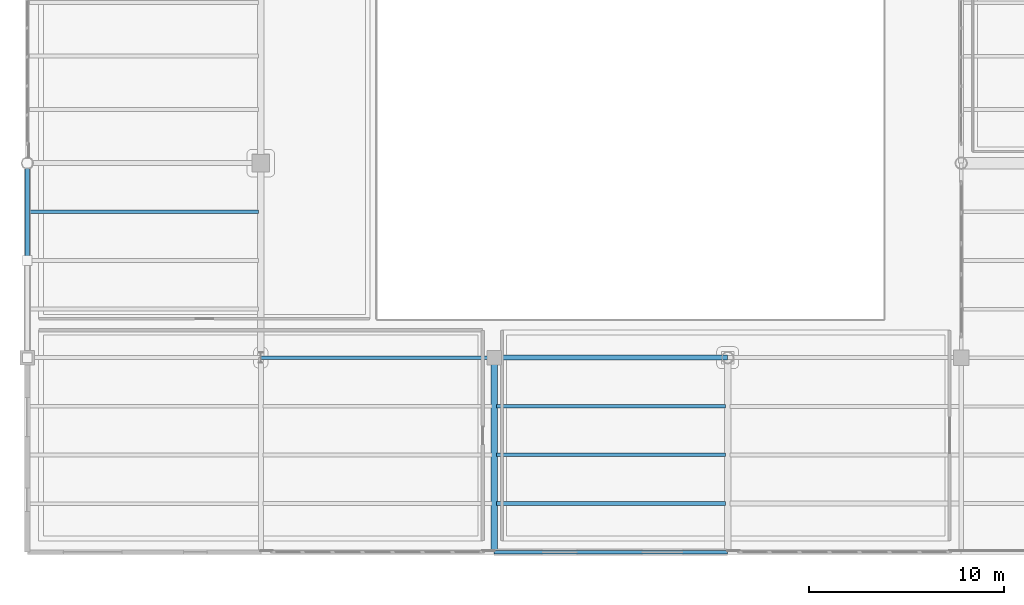
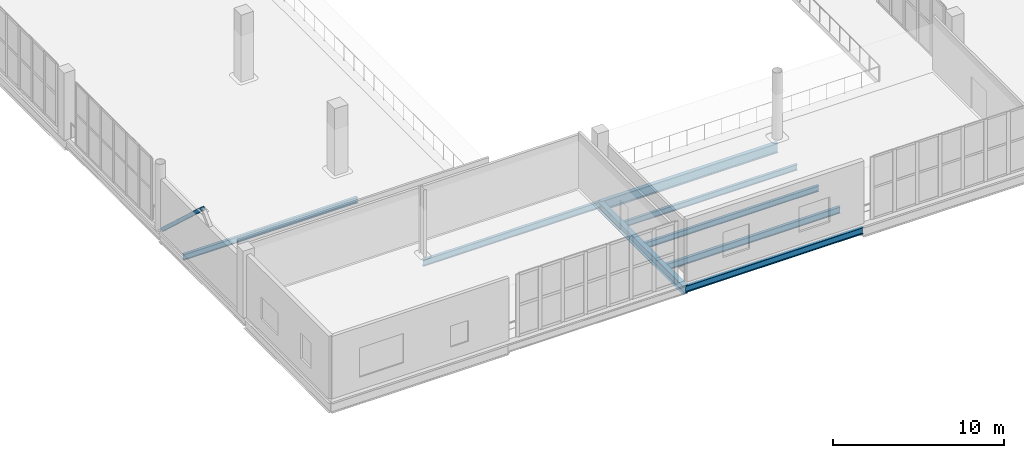
# One storey, part 20 of 136: 8 beams, 1 member.
"""IFC4 building model written with IfcOpenShell, lengths in metres."""

from ifc_helpers import new_model, si_unit, direction, frame, origin, origin_2d, place, context, subcontext, project, spatial, hollow_rectangle, i_section, extrude, material, material_profile, profile_set, type_object, element, save


model = new_model("IFC4")

# Units and contexts
model_context = context("Model", 3, precision=1e-05, world=origin(), true_north=direction((0.0, 1.0)))
body_context = subcontext(model_context, "Body", "Model", "MODEL_VIEW")
ifc_project = project(units=[si_unit("LENGTHUNIT", "METRE"), si_unit("AREAUNIT", "SQUARE_METRE"), si_unit("VOLUMEUNIT", "CUBIC_METRE"), si_unit("PLANEANGLEUNIT", "RADIAN"), si_unit("MASSUNIT", "GRAM", prefix="KILO")], contexts=[model_context])

# Site, building, storey
site_placement = place(None, origin())
site = spatial("IfcSite", under=ifc_project, at=site_placement, CompositionType="ELEMENT")
building_placement = place(site_placement, origin())
building = spatial("IfcBuilding", under=site, at=building_placement, Name="Brinegate Civic Arena", CompositionType="ELEMENT")
storey_placement = place(building_placement, frame((0.0, 0.0, 5.39990234375)))
storey = spatial("IfcBuildingStorey", under=building, at=storey_placement, Name="L01", CompositionType="ELEMENT", Elevation=5.39990234375)

# Beams
ifc_material = material(Name="Steel S355", Category="steel")
ifc_material_profile_1 = material_profile(ifc_material, i_section(OverallWidth=0.323974609375, OverallDepth=0.611083984375, WebThickness=0.012939453125, FlangeThickness=0.01904296875, FilletRadius=0.01611328125, at=origin_2d()), Name="W610X155")
ifc_profile_set_1 = profile_set([ifc_material_profile_1], Name="Steel S355")
beam_type_1 = type_object("IfcBeamType", Name="GIRDER-W610X155", PredefinedType="BEAM", material=ifc_profile_set_1)
beam_1_placement = place(storey_placement, frame((24.0, 0.0, -0.64501953125), z_axis=(0.0, 1.0, 0.0), x_axis=(-1.0, 0.0, 0.0)))
element("IfcBeam", 1, at=beam_1_placement, inside=storey, type_object=beam_type_1, Name="Floor Girder BM-L01-GY-02-00", PredefinedType="BEAM", context=body_context, shape_type="SweptSolid", body=[
    extrude(i_section(OverallWidth=0.323974609375, OverallDepth=0.611083984375, WebThickness=0.012939453125, FlangeThickness=0.01904296875, FilletRadius=0.01611328125, at=origin_2d()), origin(), (0.0, 0.0, 1.0), 10.0),
])
ifc_material_profile_2 = material_profile(ifc_material, i_section(OverallWidth=0.178955078125, OverallDepth=0.409912109375, WebThickness=0.009033203125, FlangeThickness=0.013916015625, FilletRadius=0.013916015625, at=origin_2d()), Name="W410X67")
ifc_profile_set_2 = profile_set([ifc_material_profile_2], Name="Steel S355")
beam_type_2 = type_object("IfcBeamType", Name="JOIST-W410X67", PredefinedType="JOIST", material=ifc_profile_set_2)
beam_2_placement = place(storey_placement, frame((24.10595703125, 7.5, -0.544921875), z_axis=(1.0, 0.0, 0.0), x_axis=(0.0, 1.0, 0.0)))
element("IfcBeam", 2, at=beam_2_placement, inside=storey, type_object=beam_type_2, Name="Secondary Joist BM-L01-JX-02-00-3", PredefinedType="JOIST", context=body_context, shape_type="SweptSolid", body=[
    extrude(i_section(OverallWidth=0.178955078125, OverallDepth=0.409912109375, WebThickness=0.009033203125, FlangeThickness=0.013916015625, FilletRadius=0.013916015625, at=origin_2d()), origin(), (0.0, 0.0, 1.0), 11.7880859375),
])
ifc_material_profile_3 = material_profile(ifc_material, i_section(OverallWidth=0.180908203125, OverallDepth=0.4169921875, WebThickness=0.010986328125, FlangeThickness=0.01806640625, FilletRadius=0.013916015625, at=origin_2d()), Name="W410X85")
ifc_profile_set_3 = profile_set([ifc_material_profile_3], Name="Steel S355")
beam_type_3 = type_object("IfcBeamType", Name="JOIST-W410X85", PredefinedType="JOIST", material=ifc_profile_set_3)
for number, where, z_axis, x_axis, name in (
    (3, (0.10595703125, 17.5, -0.5478515625), (1.0, 0.0, 0.0), (0.0, 1.0, 0.0), "Secondary Joist BM-L01-JX-00-01-3"),
    (4, (24.10595703125, 5.0, -0.5478515625), (1.0, 0.0, 0.0), (0.0, 1.0, 0.0), "Secondary Joist BM-L01-JX-02-00-2"),
):
    element("IfcBeam", number, at=place(storey_placement, frame(where, z_axis=z_axis, x_axis=x_axis)), inside=storey, type_object=beam_type_3, Name=name, PredefinedType="JOIST", context=body_context, shape_type="SweptSolid", body=[
        extrude(i_section(OverallWidth=0.180908203125, OverallDepth=0.4169921875, WebThickness=0.010986328125, FlangeThickness=0.01806640625, FilletRadius=0.013916015625, at=origin_2d()), origin(), (0.0, 0.0, 1.0), 11.7880859375),
    ])
ifc_material_profile_4 = material_profile(ifc_material, i_section(OverallWidth=0.19091796875, OverallDepth=0.4599609375, WebThickness=0.010009765625, FlangeThickness=0.01611328125, FilletRadius=0.014892578125, at=origin_2d()), Name="W460X82")
ifc_profile_set_4 = profile_set([ifc_material_profile_4], Name="Steel S355")
beam_type_4 = type_object("IfcBeamType", Name="JOIST-W460X82", PredefinedType="JOIST", material=ifc_profile_set_4)
beam_3_placement = place(storey_placement, frame((24.10595703125, 2.5, -0.56982421875), z_axis=(1.0, 0.0, 0.0), x_axis=(0.0, 1.0, 0.0)))
element("IfcBeam", 5, at=beam_3_placement, inside=storey, type_object=beam_type_4, Name="Secondary Joist BM-L01-JX-02-00-1", PredefinedType="JOIST", context=body_context, shape_type="SweptSolid", body=[
    extrude(i_section(OverallWidth=0.19091796875, OverallDepth=0.4599609375, WebThickness=0.010009765625, FlangeThickness=0.01611328125, FilletRadius=0.014892578125, at=origin_2d()), origin(), (0.0, 0.0, 1.0), 11.7880859375),
])

# Member
ifc_material_profile_5 = material_profile(ifc_material, hollow_rectangle(XDim=0.25, YDim=0.25, WallThickness=0.011962890625, InnerFilletRadius=0.011962890625, OuterFilletRadius=0.02392578125, at=origin_2d()), Name="SHS250X12")
ifc_profile_set_5 = profile_set([ifc_material_profile_5], Name="Steel S355")
member_type = type_object("IfcMemberType", Name="SF-BRACE-SHS250", PredefinedType="BRACE", material=ifc_profile_set_5)
member_placement = place(storey_placement, frame((0.0, 19.679931640625, 0.150146484375), z_axis=(0.0, -0.734793157262, 0.678291247209), x_axis=(1.0, 0.0, 0.0)))
element("IfcMember", 6, at=member_placement, inside=storey, type_object=member_type, Name="Lateral Chevron Brace 03-B", PredefinedType="BRACE", context=body_context, shape_type="SweptSolid", body=[
    extrude(hollow_rectangle(XDim=0.25, YDim=0.25, WallThickness=0.011962890625, InnerFilletRadius=0.011962890625, OuterFilletRadius=0.02392578125, at=origin_2d()), origin(), (0.0, 0.0, 1.0), 6.369140625),
])

# Beams
ifc_material_profile_6 = material_profile(ifc_material, i_section(OverallWidth=0.193115234375, OverallDepth=0.466064453125, WebThickness=0.010986328125, FlangeThickness=0.01904296875, FilletRadius=0.014892578125, at=origin_2d()), Name="W460X97")
ifc_profile_set_6 = profile_set([ifc_material_profile_6], Name="Steel S355")
beam_type_5 = type_object("IfcBeamType", Name="SPANDREL-W460X97", PredefinedType="SPANDREL", material=ifc_profile_set_6)
for number, where, z_axis, x_axis, name in (
    (7, (24.0, 0.0, -0.572998046875), (1.0, 0.0, 0.0), (0.0, 1.0, 0.0), "Floor Girder BM-L01-GX-02-00"),
    (8, (12.0, 10.0, -0.572998046875), (1.0, 0.0, 0.0), (0.0, 1.0, 0.0), "Floor Girder BM-L01-GX-01-01"),
):
    element("IfcBeam", number, at=place(storey_placement, frame(where, z_axis=z_axis, x_axis=x_axis)), inside=storey, type_object=beam_type_5, Name=name, PredefinedType="SPANDREL", context=body_context, shape_type="SweptSolid", body=[
        extrude(i_section(OverallWidth=0.193115234375, OverallDepth=0.466064453125, WebThickness=0.010986328125, FlangeThickness=0.01904296875, FilletRadius=0.014892578125, at=origin_2d()), origin(), (0.0, 0.0, 1.0), 12.0),
    ])
ifc_material_profile_7 = material_profile(ifc_material, i_section(OverallWidth=0.256103515625, OverallDepth=0.693115234375, WebThickness=0.014892578125, FlangeThickness=0.02392578125, FilletRadius=0.01806640625, at=origin_2d()), Name="W690X170")
ifc_profile_set_7 = profile_set([ifc_material_profile_7], Name="Steel S355")
beam_type_6 = type_object("IfcBeamType", Name="SPANDREL-W690X170", PredefinedType="SPANDREL", material=ifc_profile_set_7)
beam_4_placement = place(storey_placement, frame((24.0, 10.0, -0.685791015625), z_axis=(1.0, 0.0, 0.0), x_axis=(0.0, 1.0, 0.0)))
element("IfcBeam", 9, at=beam_4_placement, inside=storey, type_object=beam_type_6, Name="Floor Girder BM-L01-GX-02-01", PredefinedType="SPANDREL", context=body_context, shape_type="SweptSolid", body=[
    extrude(i_section(OverallWidth=0.256103515625, OverallDepth=0.693115234375, WebThickness=0.014892578125, FlangeThickness=0.02392578125, FilletRadius=0.01806640625, at=origin_2d()), origin(), (0.0, 0.0, 1.0), 12.0),
])

save(model, "model.ifc")
